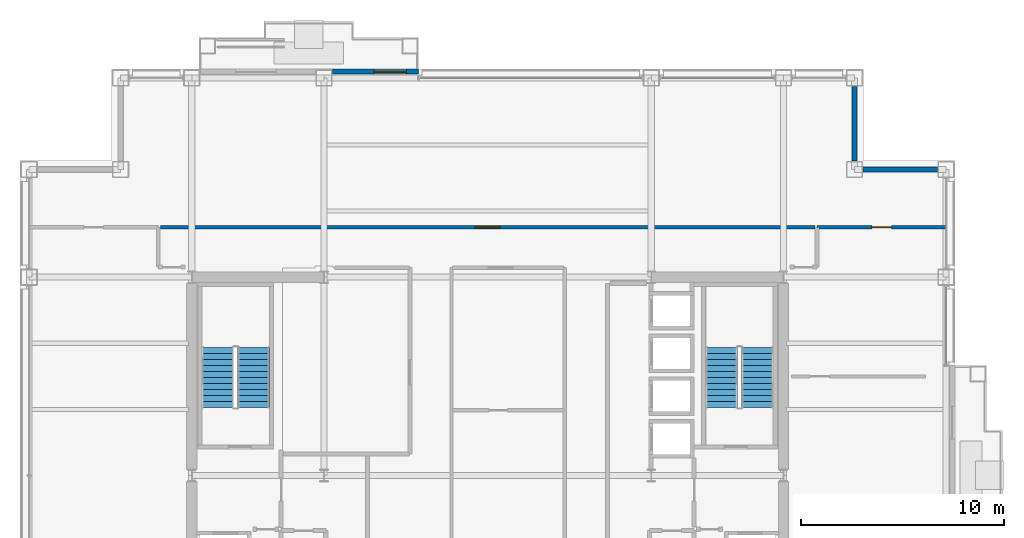
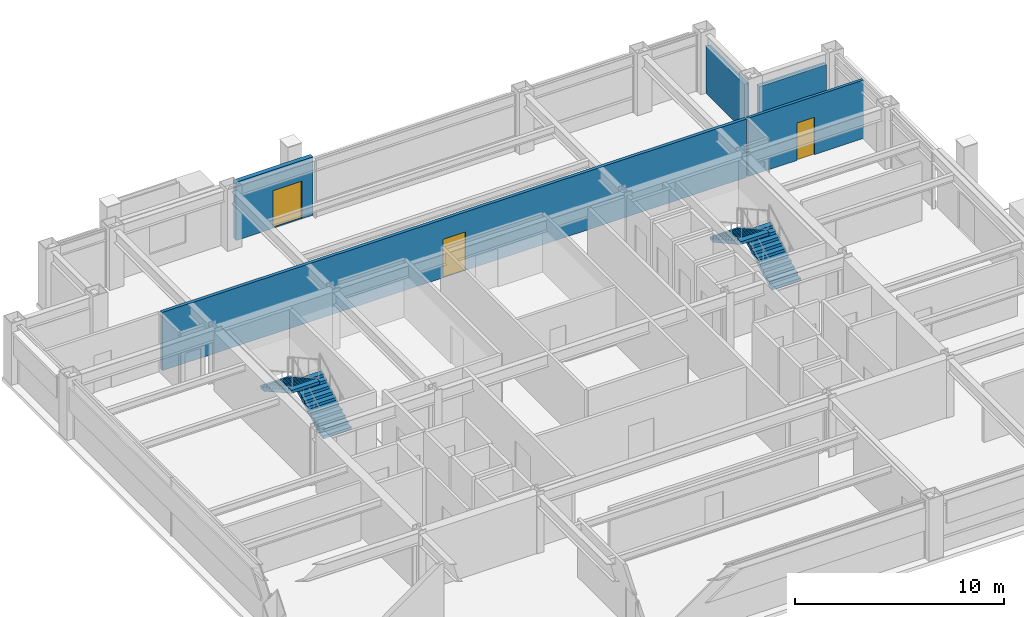
# One storey, part 27 of 29: 5 walls, 4 stair flights, 3 doors, 3 openings, 2 elements without a shape of their own.
"""IFC4 building model written with IfcOpenShell, lengths in metres."""

from ifc_helpers import new_model, si_unit, direction, frame, frame_2d, origin, place, context, subcontext, project, spatial, polyline, rectangle, outline, extrude, material, layer, layer_set, type_object, element, fill, aggregate, save


model = new_model("IFC4")

# Units and contexts
model_context = context("Model", 3, precision=1e-05, world=origin(), true_north=direction((0.0, 1.0)))
body_context = subcontext(model_context, "Body", "Model", "MODEL_VIEW")
ifc_project = project(units=[si_unit("LENGTHUNIT", "METRE"), si_unit("AREAUNIT", "SQUARE_METRE"), si_unit("VOLUMEUNIT", "CUBIC_METRE"), si_unit("PLANEANGLEUNIT", "RADIAN"), si_unit("MASSUNIT", "GRAM", prefix="KILO")], contexts=[model_context])

# Site, building, storey
site_placement = place(None, origin())
site = spatial("IfcSite", under=ifc_project, at=site_placement, CompositionType="ELEMENT")
building_placement = place(site_placement, origin())
building = spatial("IfcBuilding", under=site, at=building_placement, Name="Brelmoor Portico Tower", CompositionType="ELEMENT")
storey_placement = place(building_placement, frame((0.0, 0.0, 124.199951171875)))
storey = spatial("IfcBuildingStorey", under=building, at=storey_placement, Name="L32", CompositionType="ELEMENT", Elevation=124.199951171875)

# Wall, opening, door
ifc_material_1 = material(Name="Precast Concrete C40 Insulated Facade Wall", Category="concrete")
ifc_layer_1 = layer(ifc_material_1, 0.25)
ifc_layer_set_1 = layer_set([ifc_layer_1], Name="Precast Concrete C40 Insulated Facade Wall")
wall_type_1 = type_object("IfcWallType", Name="WL-EXT-250", PredefinedType="STANDARD", material=ifc_layer_set_1)
wall_1_placement = place(storey_placement, frame((-7.6298828125, 19.860107421875, 0.0), z_axis=(0.0, 0.0, 1.0), x_axis=(1.0, 0.0, 0.0)))
wall_1 = element("IfcWall", 1, at=wall_1_placement, inside=storey, type_object=wall_type_1, Name="L32 Loggia Threshold Wall N-2", PredefinedType="STANDARD", context=body_context, shape_type="SweptSolid", body=[
    extrude(rectangle(XDim=4.22998046875, YDim=0.25, at=frame_2d((2.114990234375, 0.0))), origin(), (0.0, 0.0, 1.0), 3.400146484375),
])
opening_1_placement = place(wall_1_placement, frame((2.030029296875, 0.0, 0.0)))
opening_1 = element("IfcOpeningElement", 2, at=opening_1_placement, cuts=wall_1, Name="Opening D-TB1", PredefinedType="OPENING", context=body_context, shape_type="SweptSolid", body=[
    extrude(rectangle(XDim=1.60009765625, YDim=2.199951171875, at=frame_2d((0.800048828125, 1.10009765625))), frame((0.0, 0.135009765625, 0.0), z_axis=(0.0, -1.0, 0.0), x_axis=(1.0, 0.0, 0.0)), (0.0, 0.0, 1.0), 0.27001953125),
])
ifc_material_2 = material(Name="Double-Leaf Thermally Broken Terrace Door", Category="aluminium")
door_type_1 = type_object("IfcDoorType", Name="DR-BALCONY-1600", OperationType="NOTDEFINED", PredefinedType="DOOR", material=ifc_material_2)
door_1_placement = place(opening_1_placement, origin())
door_1 = element("IfcDoor", 3, at=door_1_placement, inside=storey, type_object=door_type_1, Name="D-1421 L32 Tree Balcony Double Door N", OperationType="DOUBLE_DOOR_SINGLE_SWING", OverallHeight=2.199951171875, OverallWidth=1.60009765625, PredefinedType="DOOR", context=body_context, shape_type="SweptSolid", body=[
    extrude(rectangle(XDim=1.60009765625, YDim=2.199951171875, at=frame_2d((0.800048828125, 1.10009765625))), frame((0.0, 0.02490234375, 0.0), z_axis=(0.0, -1.0, 0.0), x_axis=(1.0, 0.0, 0.0)), (0.0, 0.0, 1.0), 0.050048828125),
])
fill(opening_1, door_1)

# Walls
for number, where, z_axis, x_axis, name in (
    (4, (18.4599609375, 15.050048828125, 0.0), (0.0, 0.0, 1.0), (1.0, 0.0, 0.0), "L32 Corner Notch Facade Wall NNEH1"),
    (5, (18.050048828125, 15.4599609375, 0.0), (0.0, 0.0, 1.0), (0.0, 1.0, 0.0), "L32 Corner Notch Facade Wall NNEV1"),
):
    element("IfcWall", number, at=place(storey_placement, frame(where, z_axis=z_axis, x_axis=x_axis)), inside=storey, type_object=wall_type_1, Name=name, PredefinedType="STANDARD", context=body_context, shape_type="SweptSolid", body=[
        extrude(rectangle(XDim=3.679931640625, YDim=0.25, at=frame_2d((1.83984375, 0.0))), origin(), (0.0, 0.0, 1.0), 2.75),
    ])

# Wall, opening, door
ifc_material_3 = material(Name="Twin-Frame Acoustic Partition", Category="gypsum")
ifc_layer_2 = layer(ifc_material_3, 0.159912109375)
ifc_layer_set_2 = layer_set([ifc_layer_2], Name="Twin-Frame Acoustic Partition")
wall_type_2 = type_object("IfcWallType", Name="WL-PART-160", PredefinedType="PARTITIONING", material=ifc_layer_set_2)
wall_2_placement = place(storey_placement, frame((16.199951171875, 12.199951171875, 0.0), z_axis=(0.0, 0.0, 1.0), x_axis=(1.0, 0.0, 0.0)))
wall_2 = element("IfcWall", 6, at=wall_2_placement, inside=storey, type_object=wall_type_2, Name="L32 North Wing Closure ER", PredefinedType="PARTITIONING", context=body_context, shape_type="SweptSolid", body=[
    extrude(rectangle(XDim=6.360107421875, YDim=0.159912109375, at=frame_2d((3.18017578125, 0.0))), origin(), (0.0, 0.0, 1.0), 3.400146484375),
])
opening_2_placement = place(wall_2_placement, frame((2.699951171875, 0.0, 0.0)))
opening_2 = element("IfcOpeningElement", 7, at=opening_2_placement, cuts=wall_2, Name="Opening D-IN2", PredefinedType="OPENING", context=body_context, shape_type="SweptSolid", body=[
    extrude(rectangle(XDim=0.9599609375, YDim=2.179931640625, at=frame_2d((0.47998046875, 1.08984375))), frame((0.0, 0.08984375, 0.0), z_axis=(0.0, -1.0, 0.0), x_axis=(1.0, 0.0, 0.0)), (0.0, 0.0, 1.0), 0.179931640625),
])
ifc_material_4 = material(Name="Lacquered Timber Suite Door", Category="wood")
door_type_2 = type_object("IfcDoorType", Name="DR-INT-950", OperationType="NOTDEFINED", PredefinedType="DOOR", material=ifc_material_4)
door_2_placement = place(opening_2_placement, origin())
door_2 = element("IfcDoor", 8, at=door_2_placement, inside=storey, type_object=door_type_2, Name="D-1410 L32 ER Wing North Suite Door", OperationType="SINGLE_SWING_LEFT", OverallHeight=2.179931640625, OverallWidth=0.9599609375, PredefinedType="DOOR", context=body_context, shape_type="SweptSolid", body=[
    extrude(rectangle(XDim=0.9599609375, YDim=2.179931640625, at=frame_2d((0.47998046875, 1.08984375))), frame((0.0, 0.02490234375, 0.0), z_axis=(0.0, -1.0, 0.0), x_axis=(1.0, 0.0, 0.0)), (0.0, 0.0, 1.0), 0.050048828125),
])
fill(opening_2, door_2)

ifc_material_5 = material(Name="Acoustic Corridor Fire Partition", Category="gypsum")
ifc_layer_3 = layer(ifc_material_5, 0.179931640625)
ifc_layer_set_3 = layer_set([ifc_layer_3], Name="Acoustic Corridor Fire Partition")
wall_type_3 = type_object("IfcWallType", Name="WL-PART-180", PredefinedType="PARTITIONING", material=ifc_layer_set_3)
wall_3_placement = place(storey_placement, frame((-16.10009765625, 12.199951171875, 0.0), z_axis=(0.0, 0.0, 1.0), x_axis=(1.0, 0.0, 0.0)))
wall_3 = element("IfcWall", 9, at=wall_3_placement, inside=storey, type_object=wall_type_3, Name="L32 North Corridor Partition", PredefinedType="PARTITIONING", context=body_context, shape_type="SweptSolid", body=[
    extrude(rectangle(XDim=32.2001953125, YDim=0.179931640625, at=frame_2d((16.10009765625, 0.0))), origin(), (0.0, 0.0, 1.0), 3.400146484375),
])
opening_3_placement = place(wall_3_placement, frame((15.47998046875, 0.0, 0.0)))
opening_3 = element("IfcOpeningElement", 10, at=opening_3_placement, cuts=wall_3, Name="Opening D-SU1", PredefinedType="OPENING", context=body_context, shape_type="SweptSolid", body=[
    extrude(rectangle(XDim=1.239990234375, YDim=2.239990234375, at=frame_2d((0.6201171875, 1.1201171875))), frame((0.0, 0.099853515625, 0.0), z_axis=(0.0, -1.0, 0.0), x_axis=(1.0, 0.0, 0.0)), (0.0, 0.0, 1.0), 0.199951171875),
])
ifc_material_6 = material(Name="Glazed Timber Executive Suite Door", Category="wood")
door_type_3 = type_object("IfcDoorType", Name="DR-SUITE-1200", OperationType="NOTDEFINED", PredefinedType="DOOR", material=ifc_material_6)
door_3_placement = place(opening_3_placement, origin())
door_3 = element("IfcDoor", 11, at=door_3_placement, inside=storey, type_object=door_type_3, Name="D-1409 L32 North Reading Library 1 Door", OperationType="SINGLE_SWING_LEFT", OverallHeight=2.239990234375, OverallWidth=1.239990234375, PredefinedType="DOOR", context=body_context, shape_type="SweptSolid", body=[
    extrude(rectangle(XDim=1.239990234375, YDim=2.239990234375, at=frame_2d((0.6201171875, 1.1201171875))), frame((0.0, 0.02490234375, 0.0), z_axis=(0.0, -1.0, 0.0), x_axis=(1.0, 0.0, 0.0)), (0.0, 0.0, 1.0), 0.050048828125),
])
fill(opening_3, door_3)

# Stair, stair flights
ifc_material_7 = material(Name="Concrete C40", Category="concrete")
stair_type_1 = type_object("IfcStairType", Name="ST-CORE-W", PredefinedType="HALF_TURN_STAIR", material=ifc_material_7)
stair_1_placement = place(storey_placement, origin())
stair_1 = element("IfcStair", 12, at=stair_1_placement, inside=storey, type_object=stair_type_1, Name="L32 Protected Core Exit Stair ST-W", PredefinedType="HALF_TURN_STAIR")
stair_flight_type = type_object("IfcStairFlightType", Name="SF-CORE-1850", PredefinedType="STRAIGHT", material=ifc_material_7)
stair_flight_1_placement = place(storey_placement, frame((-11.510009765625, 3.35009765625, 0.0), z_axis=(0.0, 0.0, 1.0), x_axis=(0.0, 1.0, 0.0)))
stair_flight_1 = element("IfcStairFlight", 13, at=stair_flight_1_placement, type_object=stair_flight_type, Name="ST-W flight 1", NumberOfRisers=11, NumberOfTreads=10, PredefinedType="STRAIGHT", RiserHeight=0.163636364, TreadLength=0.295, context=body_context, shape_type="SweptSolid", body=[
    extrude(outline(polyline([(0.0, 0.0), (0.0, 0.16357421875), (0.294921875, 0.16357421875), (0.294921875, 0.327392578125), (0.590087890625, 0.327392578125), (0.590087890625, 0.490966796875), (0.885009765625, 0.490966796875), (0.885009765625, 0.654541015625), (1.179931640625, 0.654541015625), (1.179931640625, 0.818115234375), (1.47509765625, 0.818115234375), (1.47509765625, 0.98193359375), (1.77001953125, 0.98193359375), (1.77001953125, 1.1455078125), (2.06494140625, 1.1455078125), (2.06494140625, 1.30908203125), (2.360107421875, 1.30908203125), (2.360107421875, 1.47265625), (2.655029296875, 1.47265625), (2.655029296875, 1.636474609375), (2.949951171875, 1.636474609375), (2.949951171875, 1.800048828125), (2.949951171875, 1.46484375), (0.30908203125, 0.0), (0.0, 0.0)])), frame((0.0, 0.780029296875, 0.0), z_axis=(0.0, -1.0, 0.0), x_axis=(1.0, 0.0, 0.0)), (0.0, 0.0, 1.0), 1.56005859375),
])
stair_flight_2_placement = place(storey_placement, frame((-13.27001953125, 6.300048828125, 1.800048828125), z_axis=(0.0, 0.0, 1.0), x_axis=(0.0, -1.0, 0.0)))
stair_flight_2 = element("IfcStairFlight", 14, at=stair_flight_2_placement, type_object=stair_flight_type, Name="ST-W flight 2", NumberOfRisers=11, NumberOfTreads=10, PredefinedType="STRAIGHT", RiserHeight=0.163636364, TreadLength=0.295, context=body_context, shape_type="SweptSolid", body=[
    extrude(outline(polyline([(0.0, 0.0), (0.0, 0.16357421875), (0.294921875, 0.16357421875), (0.294921875, 0.327392578125), (0.590087890625, 0.327392578125), (0.590087890625, 0.490966796875), (0.885009765625, 0.490966796875), (0.885009765625, 0.654541015625), (1.179931640625, 0.654541015625), (1.179931640625, 0.818115234375), (1.47509765625, 0.818115234375), (1.47509765625, 0.98193359375), (1.77001953125, 0.98193359375), (1.77001953125, 1.1455078125), (2.06494140625, 1.1455078125), (2.06494140625, 1.30908203125), (2.360107421875, 1.30908203125), (2.360107421875, 1.47265625), (2.655029296875, 1.47265625), (2.655029296875, 1.636474609375), (2.949951171875, 1.636474609375), (2.949951171875, 1.800048828125), (2.949951171875, 1.46484375), (0.30908203125, 0.0), (0.0, 0.0)])), frame((0.0, 0.780029296875, 0.0), z_axis=(0.0, -1.0, 0.0), x_axis=(1.0, 0.0, 0.0)), (0.0, 0.0, 1.0), 1.56005859375),
])
aggregate(stair_1, [stair_flight_1, stair_flight_2])

stair_type_2 = type_object("IfcStairType", Name="ST-CORE-E", PredefinedType="HALF_TURN_STAIR", material=ifc_material_7)
stair_2_placement = place(storey_placement, origin())
stair_2 = element("IfcStair", 15, at=stair_2_placement, inside=storey, type_object=stair_type_2, Name="L32 Protected Core Exit Stair ST-E", PredefinedType="HALF_TURN_STAIR")
stair_flight_3_placement = place(storey_placement, frame((13.27001953125, 3.35009765625, 0.0), z_axis=(0.0, 0.0, 1.0), x_axis=(0.0, 1.0, 0.0)))
stair_flight_3 = element("IfcStairFlight", 16, at=stair_flight_3_placement, type_object=stair_flight_type, Name="ST-E flight 1", NumberOfRisers=11, NumberOfTreads=10, PredefinedType="STRAIGHT", RiserHeight=0.163636364, TreadLength=0.295, context=body_context, shape_type="SweptSolid", body=[
    extrude(outline(polyline([(0.0, 0.0), (0.0, 0.16357421875), (0.294921875, 0.16357421875), (0.294921875, 0.327392578125), (0.590087890625, 0.327392578125), (0.590087890625, 0.490966796875), (0.885009765625, 0.490966796875), (0.885009765625, 0.654541015625), (1.179931640625, 0.654541015625), (1.179931640625, 0.818115234375), (1.47509765625, 0.818115234375), (1.47509765625, 0.98193359375), (1.77001953125, 0.98193359375), (1.77001953125, 1.1455078125), (2.06494140625, 1.1455078125), (2.06494140625, 1.30908203125), (2.360107421875, 1.30908203125), (2.360107421875, 1.47265625), (2.655029296875, 1.47265625), (2.655029296875, 1.636474609375), (2.949951171875, 1.636474609375), (2.949951171875, 1.800048828125), (2.949951171875, 1.46484375), (0.30908203125, 0.0), (0.0, 0.0)])), frame((0.0, 0.780029296875, 0.0), z_axis=(0.0, -1.0, 0.0), x_axis=(1.0, 0.0, 0.0)), (0.0, 0.0, 1.0), 1.56005859375),
])
stair_flight_4_placement = place(storey_placement, frame((11.510009765625, 6.300048828125, 1.800048828125), z_axis=(0.0, 0.0, 1.0), x_axis=(0.0, -1.0, 0.0)))
stair_flight_4 = element("IfcStairFlight", 17, at=stair_flight_4_placement, type_object=stair_flight_type, Name="ST-E flight 2", NumberOfRisers=11, NumberOfTreads=10, PredefinedType="STRAIGHT", RiserHeight=0.163636364, TreadLength=0.295, context=body_context, shape_type="SweptSolid", body=[
    extrude(outline(polyline([(0.0, 0.0), (0.0, 0.16357421875), (0.294921875, 0.16357421875), (0.294921875, 0.327392578125), (0.590087890625, 0.327392578125), (0.590087890625, 0.490966796875), (0.885009765625, 0.490966796875), (0.885009765625, 0.654541015625), (1.179931640625, 0.654541015625), (1.179931640625, 0.818115234375), (1.47509765625, 0.818115234375), (1.47509765625, 0.98193359375), (1.77001953125, 0.98193359375), (1.77001953125, 1.1455078125), (2.06494140625, 1.1455078125), (2.06494140625, 1.30908203125), (2.360107421875, 1.30908203125), (2.360107421875, 1.47265625), (2.655029296875, 1.47265625), (2.655029296875, 1.636474609375), (2.949951171875, 1.636474609375), (2.949951171875, 1.800048828125), (2.949951171875, 1.46484375), (0.30908203125, 0.0), (0.0, 0.0)])), frame((0.0, 0.780029296875, 0.0), z_axis=(0.0, -1.0, 0.0), x_axis=(1.0, 0.0, 0.0)), (0.0, 0.0, 1.0), 1.56005859375),
])
aggregate(stair_2, [stair_flight_3, stair_flight_4])

save(model, "model.ifc")
